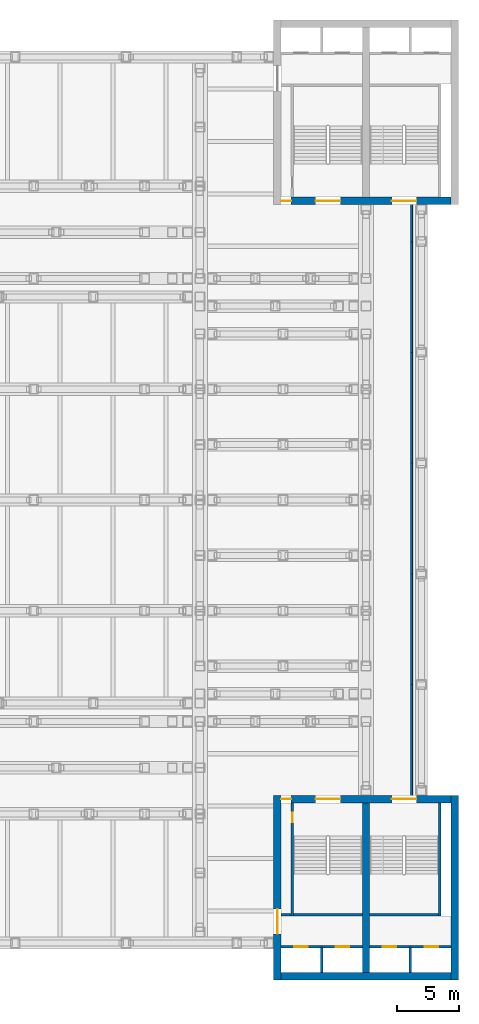
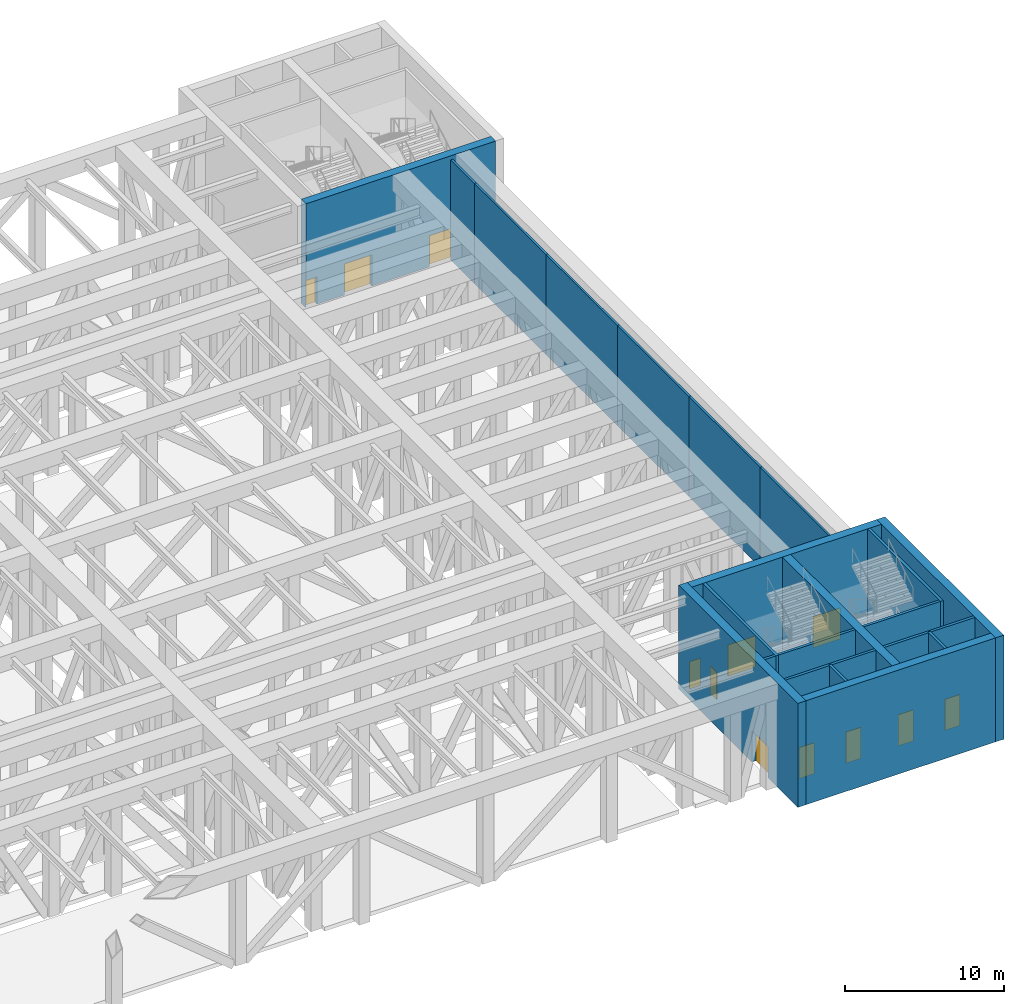
# One storey, part 9 of 20: 21 walls, 12 doors, 12 openings.
"""IFC4 building model written with IfcOpenShell, lengths in metres."""

from ifc_helpers import new_model, si_unit, direction, frame, frame_2d, origin, place, context, subcontext, project, spatial, rectangle, extrude, material, layer, layer_set, type_object, element, fill, save


model = new_model("IFC4")

# Units and contexts
model_context = context("Model", 3, precision=1e-05, world=origin(), true_north=direction((0.0, 1.0)))
body_context = subcontext(model_context, "Body", "Model", "MODEL_VIEW")
ifc_project = project(units=[si_unit("LENGTHUNIT", "METRE"), si_unit("AREAUNIT", "SQUARE_METRE"), si_unit("VOLUMEUNIT", "CUBIC_METRE"), si_unit("PLANEANGLEUNIT", "RADIAN"), si_unit("MASSUNIT", "GRAM", prefix="KILO")], contexts=[model_context])

# Site, building, storey
site_placement = place(None, origin())
site = spatial("IfcSite", under=ifc_project, at=site_placement, CompositionType="ELEMENT")
building_placement = place(site_placement, origin())
building = spatial("IfcBuilding", under=site, at=building_placement, Name="Corbelhall Arena Tower", CompositionType="ELEMENT")
storey_placement = place(building_placement, frame((0.0, 0.0, 44.0)))
storey = spatial("IfcBuildingStorey", under=building, at=storey_placement, Name="L06", CompositionType="ELEMENT", Elevation=44.0)

# Walls
ifc_material_1 = material(Name="Aluminium louvre panels on a steel frame", Category="steel")
ifc_layer_1 = layer(ifc_material_1, 0.14990234375)
ifc_layer_set_1 = layer_set([ifc_layer_1], Name="AR-PLANT-LOUVRE")
wall_type_1 = type_object("IfcWallType", Name="AR-PLANT-LOUVRE", PredefinedType="SOLIDWALL", material=ifc_layer_set_1)
for number, where, z_axis, x_axis, name in (
    (1, (44.199951171875, -24.0, 0.0), (0.0, 0.0, 1.0), (0.0, 1.0, 0.0), "Plant louvre wall E1"),
    (2, (44.199951171875, -15.0, 0.0), (0.0, 0.0, 1.0), (0.0, 1.0, 0.0), "Plant louvre wall E2"),
    (3, (44.199951171875, -6.0, 0.0), (0.0, 0.0, 1.0), (0.0, 1.0, 0.0), "Plant louvre wall E3"),
    (4, (44.199951171875, 3.0, 0.0), (0.0, 0.0, 1.0), (0.0, 1.0, 0.0), "Plant louvre wall E4"),
    (5, (44.199951171875, 12.0, 0.0), (0.0, 0.0, 1.0), (0.0, 1.0, 0.0), "Plant louvre wall E5"),
):
    element("IfcWall", number, at=place(storey_placement, frame(where, z_axis=z_axis, x_axis=x_axis)), inside=storey, type_object=wall_type_1, Name=name, PredefinedType="SOLIDWALL", context=body_context, shape_type="SweptSolid", body=[
        extrude(rectangle(XDim=9.0, YDim=0.14990234375, at=frame_2d((4.5, 0.0))), origin(), (0.0, 0.0, 1.0), 7.699951171875),
    ])
wall_1_placement = place(storey_placement, frame((44.199951171875, 21.0, 0.0), z_axis=(0.0, 0.0, 1.0), x_axis=(0.0, 1.0, 0.0)))
element("IfcWall", 6, at=wall_1_placement, inside=storey, type_object=wall_type_1, Name="Plant louvre wall E6", PredefinedType="SOLIDWALL", context=body_context, shape_type="SweptSolid", body=[
    extrude(rectangle(XDim=3.0, YDim=0.14990234375, at=frame_2d((1.5, 0.0))), origin(), (0.0, 0.0, 1.0), 7.699951171875),
])
ifc_material_2 = material(Name="Gypsum board on steel studs", Category="steel")
ifc_layer_2 = layer(ifc_material_2, 0.199951171875)
ifc_layer_set_2 = layer_set([ifc_layer_2], Name="AR-ROOM-WALL")
wall_type_2 = type_object("IfcWallType", Name="AR-ROOM-WALL", PredefinedType="PARTITIONING", material=ifc_layer_set_2)
wall_2_placement = place(storey_placement, frame((33.60009765625, -33.699951171875, 0.0), z_axis=(0.0, 0.0, 1.0), x_axis=(1.0, 0.0, 0.0)))
element("IfcWall", 7, at=wall_2_placement, inside=storey, type_object=wall_type_2, Name="Mechanical plant room 03 wall", PredefinedType="PARTITIONING", context=body_context, shape_type="SweptSolid", body=[
    extrude(rectangle(XDim=0.809814453125, YDim=0.199951171875, at=frame_2d((0.40478515625, 0.0))), origin(), (0.0, 0.0, 1.0), 8.0),
])

# Wall, openings, doors
ifc_material_3 = material(Name="Reinforced concrete C40/50", Category="concrete")
ifc_layer_3 = layer(ifc_material_3, 0.199951171875)
ifc_layer_set_3 = layer_set([ifc_layer_3], Name="AR-SHAFT-WALL")
wall_type_3 = type_object("IfcWallType", Name="AR-SHAFT-WALL", PredefinedType="SHEAR", material=ifc_layer_set_3)
wall_3_placement = place(storey_placement, frame((33.60009765625, -36.300048828125, 0.0), z_axis=(0.0, 0.0, 1.0), x_axis=(1.0, 0.0, 0.0)))
wall_3 = element("IfcWall", 8, at=wall_3_placement, inside=storey, type_object=wall_type_3, Name="Lift lobby wall SE", PredefinedType="SHEAR", context=body_context, shape_type="SweptSolid", body=[
    extrude(rectangle(XDim=6.599853515625, YDim=0.199951171875, at=frame_2d((3.2998046875, 0.0))), origin(), (0.0, 0.0, 1.0), 8.0),
])
opening_1_placement = place(wall_3_placement, frame((1.050048828125, 0.0, 0.0)))
opening_1 = element("IfcOpeningElement", 9, at=opening_1_placement, cuts=wall_3, Name="Opening LD0235", PredefinedType="OPENING", context=body_context, shape_type="SweptSolid", body=[
    extrude(rectangle(XDim=1.10009765625, YDim=2.39990234375, at=frame_2d((0.550048828125, 1.199951171875))), frame((0.0, 0.10009765625, 0.0), z_axis=(0.0, -1.0, 0.0), x_axis=(1.0, 0.0, 0.0)), (0.0, 0.0, 1.0), 0.199951171875),
])
opening_2_placement = place(wall_3_placement, frame((4.449951171875, 0.0, 0.0)))
opening_2 = element("IfcOpeningElement", 10, at=opening_2_placement, cuts=wall_3, Name="Opening LD0236", PredefinedType="OPENING", context=body_context, shape_type="SweptSolid", body=[
    extrude(rectangle(XDim=1.10009765625, YDim=2.39990234375, at=frame_2d((0.550048828125, 1.199951171875))), frame((0.0, 0.10009765625, 0.0), z_axis=(0.0, -1.0, 0.0), x_axis=(1.0, 0.0, 0.0)), (0.0, 0.0, 1.0), 0.199951171875),
])
ifc_material_4 = material(Name="Stainless steel A4", Category="steel")
door_type_1 = type_object("IfcDoorType", Name="AR-LANDING-DOOR", OperationType="DOUBLE_DOOR_SLIDING", PredefinedType="DOOR", material=ifc_material_4)
door_1_placement = place(opening_1_placement, frame((1.10009765625, 0.0, 0.0), z_axis=(0.0, 0.0, 1.0), x_axis=(-1.0, 0.0, 0.0)))
door_1 = element("IfcDoor", 11, at=door_1_placement, inside=storey, type_object=door_type_1, Name="Landing door SE LF1 L06", OperationType="DOUBLE_DOOR_SLIDING", OverallHeight=2.39990234375, OverallWidth=1.10009765625, PredefinedType="DOOR", context=body_context, shape_type="SweptSolid", body=[
    extrude(rectangle(XDim=1.10009765625, YDim=2.39990234375, at=frame_2d((0.550048828125, 1.199951171875))), frame((0.0, 0.02490234375, 0.0), z_axis=(0.0, -1.0, 0.0), x_axis=(1.0, 0.0, 0.0)), (0.0, 0.0, 1.0), 0.050048828125),
])
fill(opening_1, door_1)
door_2_placement = place(opening_2_placement, frame((1.10009765625, 0.0, 0.0), z_axis=(0.0, 0.0, 1.0), x_axis=(-1.0, 0.0, 0.0)))
door_2 = element("IfcDoor", 12, at=door_2_placement, inside=storey, type_object=door_type_1, Name="Landing door SE LF2 L06", OperationType="DOUBLE_DOOR_SLIDING", OverallHeight=2.39990234375, OverallWidth=1.10009765625, PredefinedType="DOOR", context=body_context, shape_type="SweptSolid", body=[
    extrude(rectangle(XDim=1.10009765625, YDim=2.39990234375, at=frame_2d((0.550048828125, 1.199951171875))), frame((0.0, 0.02490234375, 0.0), z_axis=(0.0, -1.0, 0.0), x_axis=(1.0, 0.0, 0.0)), (0.0, 0.0, 1.0), 0.050048828125),
])
fill(opening_2, door_2)

wall_4_placement = place(storey_placement, frame((40.800048828125, -36.300048828125, 0.0), z_axis=(0.0, 0.0, 1.0), x_axis=(1.0, 0.0, 0.0)))
wall_4 = element("IfcWall", 13, at=wall_4_placement, inside=storey, type_object=wall_type_3, Name="Lift lobby wall SE", PredefinedType="SHEAR", context=body_context, shape_type="SweptSolid", body=[
    extrude(rectangle(XDim=6.599853515625, YDim=0.199951171875, at=frame_2d((3.2998046875, 0.0))), origin(), (0.0, 0.0, 1.0), 8.0),
])
opening_3_placement = place(wall_4_placement, frame((1.050048828125, 0.0, 0.0)))
opening_3 = element("IfcOpeningElement", 14, at=opening_3_placement, cuts=wall_4, Name="Opening LD0237", PredefinedType="OPENING", context=body_context, shape_type="SweptSolid", body=[
    extrude(rectangle(XDim=1.10009765625, YDim=2.39990234375, at=frame_2d((0.550048828125, 1.199951171875))), frame((0.0, 0.10009765625, 0.0), z_axis=(0.0, -1.0, 0.0), x_axis=(1.0, 0.0, 0.0)), (0.0, 0.0, 1.0), 0.199951171875),
])
opening_4_placement = place(wall_4_placement, frame((4.449951171875, 0.0, 0.0)))
opening_4 = element("IfcOpeningElement", 15, at=opening_4_placement, cuts=wall_4, Name="Opening LD0238", PredefinedType="OPENING", context=body_context, shape_type="SweptSolid", body=[
    extrude(rectangle(XDim=1.10009765625, YDim=2.39990234375, at=frame_2d((0.550048828125, 1.199951171875))), frame((0.0, 0.10009765625, 0.0), z_axis=(0.0, -1.0, 0.0), x_axis=(1.0, 0.0, 0.0)), (0.0, 0.0, 1.0), 0.199951171875),
])
door_3_placement = place(opening_3_placement, frame((1.10009765625, 0.0, 0.0), z_axis=(0.0, 0.0, 1.0), x_axis=(-1.0, 0.0, 0.0)))
door_3 = element("IfcDoor", 16, at=door_3_placement, inside=storey, type_object=door_type_1, Name="Landing door SE LF3 L06", OperationType="DOUBLE_DOOR_SLIDING", OverallHeight=2.39990234375, OverallWidth=1.10009765625, PredefinedType="DOOR", context=body_context, shape_type="SweptSolid", body=[
    extrude(rectangle(XDim=1.10009765625, YDim=2.39990234375, at=frame_2d((0.550048828125, 1.199951171875))), frame((0.0, 0.02490234375, 0.0), z_axis=(0.0, -1.0, 0.0), x_axis=(1.0, 0.0, 0.0)), (0.0, 0.0, 1.0), 0.050048828125),
])
fill(opening_3, door_3)
door_4_placement = place(opening_4_placement, frame((1.10009765625, 0.0, 0.0), z_axis=(0.0, 0.0, 1.0), x_axis=(-1.0, 0.0, 0.0)))
door_4 = element("IfcDoor", 17, at=door_4_placement, inside=storey, type_object=door_type_1, Name="Landing door SE LF4 L06", OperationType="DOUBLE_DOOR_SLIDING", OverallHeight=2.39990234375, OverallWidth=1.10009765625, PredefinedType="DOOR", context=body_context, shape_type="SweptSolid", body=[
    extrude(rectangle(XDim=1.10009765625, YDim=2.39990234375, at=frame_2d((0.550048828125, 1.199951171875))), frame((0.0, 0.02490234375, 0.0), z_axis=(0.0, -1.0, 0.0), x_axis=(1.0, 0.0, 0.0)), (0.0, 0.0, 1.0), 0.050048828125),
])
fill(opening_4, door_4)

# Walls
for number, where, z_axis, x_axis, name in (
    (18, (36.89990234375, -38.39990234375, 0.0), (0.0, 0.0, 1.0), (0.0, 1.0, 0.0), "Shaft wall SE"),
    (19, (44.10009765625, -38.39990234375, 0.0), (0.0, 0.0, 1.0), (0.0, 1.0, 0.0), "Shaft wall SE"),
):
    element("IfcWall", number, at=place(storey_placement, frame(where, z_axis=z_axis, x_axis=x_axis)), inside=storey, type_object=wall_type_3, Name=name, PredefinedType="SHEAR", context=body_context, shape_type="SweptSolid", body=[
        extrude(rectangle(XDim=2.099853515625, YDim=0.199951171875, at=frame_2d((1.0498046875, 0.0))), origin(), (0.0, 0.0, 1.0), 8.0),
    ])

# Wall, opening, door
ifc_layer_4 = layer(ifc_material_3, 0.199951171875)
ifc_layer_set_4 = layer_set([ifc_layer_4], Name="AR-STAIR-WALL")
wall_type_4 = type_object("IfcWallType", Name="AR-STAIR-WALL", PredefinedType="SOLIDWALL", material=ifc_layer_set_4)
wall_5_placement = place(storey_placement, frame((34.510009765625, -33.800048828125, 0.0), z_axis=(0.0, 0.0, 1.0), x_axis=(0.0, 1.0, 0.0)))
wall_5 = element("IfcWall", 20, at=wall_5_placement, inside=storey, type_object=wall_type_4, Name="Stair AS5 wall", PredefinedType="SOLIDWALL", context=body_context, shape_type="SweptSolid", body=[
    extrude(rectangle(XDim=9.199951171875, YDim=0.199951171875, at=frame_2d((4.60009765625, 0.0))), origin(), (0.0, 0.0, 1.0), 8.0),
])
opening_5_placement = place(wall_5_placement, frame((7.60009765625, 0.0, 0.0)))
opening_5 = element("IfcOpeningElement", 21, at=opening_5_placement, cuts=wall_5, Name="Opening DA0464", PredefinedType="OPENING", context=body_context, shape_type="SweptSolid", body=[
    extrude(rectangle(XDim=0.800048828125, YDim=2.10009765625, at=frame_2d((0.39990234375, 1.050048828125))), frame((0.0, 0.10009765625, 0.0), z_axis=(0.0, -1.0, 0.0), x_axis=(1.0, 0.0, 0.0)), (0.0, 0.0, 1.0), 0.199951171875),
])
ifc_material_5 = material(Name="Steel", Category="steel")
door_type_2 = type_object("IfcDoorType", Name="AR-PLANT-DOOR", OperationType="SINGLE_SWING_LEFT", PredefinedType="DOOR", material=ifc_material_5)
door_5_placement = place(opening_5_placement, origin())
door_5 = element("IfcDoor", 22, at=door_5_placement, inside=storey, type_object=door_type_2, Name="Mechanical plant room 03 stair door", OperationType="SINGLE_SWING_LEFT", OverallHeight=2.10009765625, OverallWidth=0.800048828125, PredefinedType="DOOR", context=body_context, shape_type="SweptSolid", body=[
    extrude(rectangle(XDim=0.800048828125, YDim=2.10009765625, at=frame_2d((0.39990234375, 1.050048828125))), frame((0.0, 0.02490234375, 0.0), z_axis=(0.0, -1.0, 0.0), x_axis=(1.0, 0.0, 0.0)), (0.0, 0.0, 1.0), 0.050048828125),
])
fill(opening_5, door_5)

# Walls
wall_6_placement = place(storey_placement, frame((34.610107421875, -33.699951171875, 0.0), z_axis=(0.0, 0.0, 1.0), x_axis=(1.0, 0.0, 0.0)))
element("IfcWall", 23, at=wall_6_placement, inside=storey, type_object=wall_type_4, Name="Stair AS5 wall", PredefinedType="SOLIDWALL", context=body_context, shape_type="SweptSolid", body=[
    extrude(rectangle(XDim=5.58984375, YDim=0.199951171875, at=frame_2d((2.794921875, 0.0))), origin(), (0.0, 0.0, 1.0), 8.0),
])
wall_7_placement = place(storey_placement, frame((46.489990234375, -33.800048828125, 0.0), z_axis=(0.0, 0.0, 1.0), x_axis=(0.0, 1.0, 0.0)))
element("IfcWall", 24, at=wall_7_placement, inside=storey, type_object=wall_type_4, Name="Stair AS6 wall", PredefinedType="SOLIDWALL", context=body_context, shape_type="SweptSolid", body=[
    extrude(rectangle(XDim=9.199951171875, YDim=0.199951171875, at=frame_2d((4.60009765625, 0.0))), origin(), (0.0, 0.0, 1.0), 8.0),
])
wall_8_placement = place(storey_placement, frame((40.800048828125, -33.699951171875, 0.0), z_axis=(0.0, 0.0, 1.0), x_axis=(1.0, 0.0, 0.0)))
element("IfcWall", 25, at=wall_8_placement, inside=storey, type_object=wall_type_4, Name="Stair AS6 wall", PredefinedType="SOLIDWALL", context=body_context, shape_type="SweptSolid", body=[
    extrude(rectangle(XDim=5.58984375, YDim=0.199951171875, at=frame_2d((2.794921875, 0.0))), origin(), (0.0, 0.0, 1.0), 8.0),
])

# Wall, openings, doors
ifc_material_6 = material(Name="Concrete C80/95", Category="concrete")
ifc_layer_5 = layer(ifc_material_6, 0.60009765625)
ifc_layer_set_5 = layer_set([ifc_layer_5], Name="PO-CORE-WALL")
wall_type_5 = type_object("IfcWallType", Name="PO-CORE-WALL", PredefinedType="SHEAR", material=ifc_layer_set_5)
wall_9_placement = place(storey_placement, frame((33.60009765625, 24.300048828125, 0.0), z_axis=(0.0, 0.0, 1.0), x_axis=(1.0, 0.0, 0.0)))
wall_9 = element("IfcWall", 26, at=wall_9_placement, inside=storey, type_object=wall_type_5, Name="CORE NE WALL S L06", PredefinedType="SHEAR", context=body_context, shape_type="SweptSolid", body=[
    extrude(rectangle(XDim=13.7998046875, YDim=0.60009765625, at=frame_2d((6.89990234375, 0.0))), origin(), (0.0, 0.0, 1.0), 8.0),
])
opening_6_placement = place(wall_9_placement, frame((2.804931640625, 0.0, 0.0)))
opening_6 = element("IfcOpeningElement", 27, at=opening_6_placement, cuts=wall_9, Name="Opening DA0059", PredefinedType="OPENING", context=body_context, shape_type="SweptSolid", body=[
    extrude(rectangle(XDim=2.0, YDim=2.39990234375, at=frame_2d((1.0, 1.199951171875))), frame((0.0, 0.300048828125, 0.0), z_axis=(0.0, -1.0, 0.0), x_axis=(1.0, 0.0, 0.0)), (0.0, 0.0, 1.0), 0.60009765625),
])
opening_7_placement = place(wall_9_placement, frame((8.9951171875, 0.0, 0.0)))
opening_7 = element("IfcOpeningElement", 28, at=opening_7_placement, cuts=wall_9, Name="Opening DA0067", PredefinedType="OPENING", context=body_context, shape_type="SweptSolid", body=[
    extrude(rectangle(XDim=2.0, YDim=2.39990234375, at=frame_2d((1.0, 1.199951171875))), frame((0.0, 0.300048828125, 0.0), z_axis=(0.0, -1.0, 0.0), x_axis=(1.0, 0.0, 0.0)), (0.0, 0.0, 1.0), 0.60009765625),
])
opening_8_placement = place(wall_9_placement, frame((0.0048828125, 0.0, 0.0)))
opening_8 = element("IfcOpeningElement", 29, at=opening_8_placement, cuts=wall_9, Name="Opening DA0459", PredefinedType="OPENING", context=body_context, shape_type="SweptSolid", body=[
    extrude(rectangle(XDim=0.800048828125, YDim=2.10009765625, at=frame_2d((0.39990234375, 1.050048828125))), frame((0.0, 0.300048828125, 0.0), z_axis=(0.0, -1.0, 0.0), x_axis=(1.0, 0.0, 0.0)), (0.0, 0.0, 1.0), 0.60009765625),
])
door_6_placement = place(opening_8_placement, origin())
door_6 = element("IfcDoor", 30, at=door_6_placement, inside=storey, type_object=door_type_2, Name="Mechanical plant room 01 door", OperationType="SINGLE_SWING_LEFT", OverallHeight=2.10009765625, OverallWidth=0.800048828125, PredefinedType="DOOR", context=body_context, shape_type="SweptSolid", body=[
    extrude(rectangle(XDim=0.800048828125, YDim=2.10009765625, at=frame_2d((0.39990234375, 1.050048828125))), frame((0.0, 0.02490234375, 0.0), z_axis=(0.0, -1.0, 0.0), x_axis=(1.0, 0.0, 0.0)), (0.0, 0.0, 1.0), 0.050048828125),
])
fill(opening_8, door_6)
ifc_material_7 = material(Name="Steel and glass", Category="steel")
door_type_3 = type_object("IfcDoorType", Name="AR-STAIR-DOOR", OperationType="DOUBLE_DOOR_SINGLE_SWING", PredefinedType="DOOR", material=ifc_material_7)
door_7_placement = place(opening_6_placement, origin())
door_7 = element("IfcDoor", 31, at=door_7_placement, inside=storey, type_object=door_type_3, Name="Stair AS1 door", OperationType="DOUBLE_DOOR_SINGLE_SWING", OverallHeight=2.39990234375, OverallWidth=2.0, PredefinedType="DOOR", context=body_context, shape_type="SweptSolid", body=[
    extrude(rectangle(XDim=2.0, YDim=2.39990234375, at=frame_2d((1.0, 1.199951171875))), frame((0.0, 0.02490234375, 0.0), z_axis=(0.0, -1.0, 0.0), x_axis=(1.0, 0.0, 0.0)), (0.0, 0.0, 1.0), 0.050048828125),
])
fill(opening_6, door_7)
door_8_placement = place(opening_7_placement, origin())
door_8 = element("IfcDoor", 32, at=door_8_placement, inside=storey, type_object=door_type_3, Name="Stair AS2 door", OperationType="DOUBLE_DOOR_SINGLE_SWING", OverallHeight=2.39990234375, OverallWidth=2.0, PredefinedType="DOOR", context=body_context, shape_type="SweptSolid", body=[
    extrude(rectangle(XDim=2.0, YDim=2.39990234375, at=frame_2d((1.0, 1.199951171875))), frame((0.0, 0.02490234375, 0.0), z_axis=(0.0, -1.0, 0.0), x_axis=(1.0, 0.0, 0.0)), (0.0, 0.0, 1.0), 0.050048828125),
])
fill(opening_7, door_8)

wall_10_placement = place(storey_placement, frame((33.60009765625, -24.300048828125, 0.0), z_axis=(0.0, 0.0, 1.0), x_axis=(1.0, 0.0, 0.0)))
wall_10 = element("IfcWall", 33, at=wall_10_placement, inside=storey, type_object=wall_type_5, Name="CORE SE WALL N L06", PredefinedType="SHEAR", context=body_context, shape_type="SweptSolid", body=[
    extrude(rectangle(XDim=13.7998046875, YDim=0.60009765625, at=frame_2d((6.89990234375, 0.0))), origin(), (0.0, 0.0, 1.0), 8.0),
])
opening_9_placement = place(wall_10_placement, frame((2.804931640625, 0.0, 0.0)))
opening_9 = element("IfcOpeningElement", 34, at=opening_9_placement, cuts=wall_10, Name="Opening DA0091", PredefinedType="OPENING", context=body_context, shape_type="SweptSolid", body=[
    extrude(rectangle(XDim=2.0, YDim=2.39990234375, at=frame_2d((1.0, 1.199951171875))), frame((0.0, 0.300048828125, 0.0), z_axis=(0.0, -1.0, 0.0), x_axis=(1.0, 0.0, 0.0)), (0.0, 0.0, 1.0), 0.60009765625),
])
opening_10_placement = place(wall_10_placement, frame((8.9951171875, 0.0, 0.0)))
opening_10 = element("IfcOpeningElement", 35, at=opening_10_placement, cuts=wall_10, Name="Opening DA0099", PredefinedType="OPENING", context=body_context, shape_type="SweptSolid", body=[
    extrude(rectangle(XDim=2.0, YDim=2.39990234375, at=frame_2d((1.0, 1.199951171875))), frame((0.0, 0.300048828125, 0.0), z_axis=(0.0, -1.0, 0.0), x_axis=(1.0, 0.0, 0.0)), (0.0, 0.0, 1.0), 0.60009765625),
])
opening_11_placement = place(wall_10_placement, frame((0.0048828125, 0.0, 0.0)))
opening_11 = element("IfcOpeningElement", 36, at=opening_11_placement, cuts=wall_10, Name="Opening DA0463", PredefinedType="OPENING", context=body_context, shape_type="SweptSolid", body=[
    extrude(rectangle(XDim=0.800048828125, YDim=2.10009765625, at=frame_2d((0.39990234375, 1.050048828125))), frame((0.0, 0.300048828125, 0.0), z_axis=(0.0, -1.0, 0.0), x_axis=(1.0, 0.0, 0.0)), (0.0, 0.0, 1.0), 0.60009765625),
])
door_9_placement = place(opening_11_placement, origin())
door_9 = element("IfcDoor", 37, at=door_9_placement, inside=storey, type_object=door_type_2, Name="Mechanical plant room 03 door", OperationType="SINGLE_SWING_LEFT", OverallHeight=2.10009765625, OverallWidth=0.800048828125, PredefinedType="DOOR", context=body_context, shape_type="SweptSolid", body=[
    extrude(rectangle(XDim=0.800048828125, YDim=2.10009765625, at=frame_2d((0.39990234375, 1.050048828125))), frame((0.0, 0.02490234375, 0.0), z_axis=(0.0, -1.0, 0.0), x_axis=(1.0, 0.0, 0.0)), (0.0, 0.0, 1.0), 0.050048828125),
])
fill(opening_11, door_9)
door_10_placement = place(opening_9_placement, frame((2.0, 0.0, 0.0), z_axis=(0.0, 0.0, 1.0), x_axis=(-1.0, 0.0, 0.0)))
door_10 = element("IfcDoor", 38, at=door_10_placement, inside=storey, type_object=door_type_3, Name="Stair AS5 door", OperationType="DOUBLE_DOOR_SINGLE_SWING", OverallHeight=2.39990234375, OverallWidth=2.0, PredefinedType="DOOR", context=body_context, shape_type="SweptSolid", body=[
    extrude(rectangle(XDim=2.0, YDim=2.39990234375, at=frame_2d((1.0, 1.199951171875))), frame((0.0, 0.02490234375, 0.0), z_axis=(0.0, -1.0, 0.0), x_axis=(1.0, 0.0, 0.0)), (0.0, 0.0, 1.0), 0.050048828125),
])
fill(opening_9, door_10)
door_11_placement = place(opening_10_placement, frame((2.0, 0.0, 0.0), z_axis=(0.0, 0.0, 1.0), x_axis=(-1.0, 0.0, 0.0)))
door_11 = element("IfcDoor", 39, at=door_11_placement, inside=storey, type_object=door_type_3, Name="Stair AS6 door", OperationType="DOUBLE_DOOR_SINGLE_SWING", OverallHeight=2.39990234375, OverallWidth=2.0, PredefinedType="DOOR", context=body_context, shape_type="SweptSolid", body=[
    extrude(rectangle(XDim=2.0, YDim=2.39990234375, at=frame_2d((1.0, 1.199951171875))), frame((0.0, 0.02490234375, 0.0), z_axis=(0.0, -1.0, 0.0), x_axis=(1.0, 0.0, 0.0)), (0.0, 0.0, 1.0), 0.050048828125),
])
fill(opening_10, door_11)

# Wall
wall_11_placement = place(storey_placement, frame((33.60009765625, -38.699951171875, 0.0), z_axis=(0.0, 0.0, 1.0), x_axis=(1.0, 0.0, 0.0)))
element("IfcWall", 40, at=wall_11_placement, inside=storey, type_object=wall_type_5, Name="CORE SE WALL S L06", PredefinedType="SHEAR", context=body_context, shape_type="SweptSolid", body=[
    extrude(rectangle(XDim=13.7998046875, YDim=0.60009765625, at=frame_2d((6.89990234375, 0.0))), origin(), (0.0, 0.0, 1.0), 8.0),
])

# Wall, opening, door
wall_12_placement = place(storey_placement, frame((33.300048828125, -39.0, 0.0), z_axis=(0.0, 0.0, 1.0), x_axis=(0.0, 1.0, 0.0)))
wall_12 = element("IfcWall", 41, at=wall_12_placement, inside=storey, type_object=wall_type_5, Name="CORE SE WALL W L06", PredefinedType="SHEAR", context=body_context, shape_type="SweptSolid", body=[
    extrude(rectangle(XDim=15.0, YDim=0.60009765625, at=frame_2d((7.5, 0.0))), origin(), (0.0, 0.0, 1.0), 8.0),
])
opening_12_placement = place(wall_12_placement, frame((3.75, 0.0, 0.0)))
opening_12 = element("IfcOpeningElement", 42, at=opening_12_placement, cuts=wall_12, Name="Opening DA0239", PredefinedType="OPENING", context=body_context, shape_type="SweptSolid", body=[
    extrude(rectangle(XDim=2.0, YDim=2.39990234375, at=frame_2d((1.0, 1.199951171875))), frame((0.0, 0.300048828125, 0.0), z_axis=(0.0, -1.0, 0.0), x_axis=(1.0, 0.0, 0.0)), (0.0, 0.0, 1.0), 0.60009765625),
])
door_type_4 = type_object("IfcDoorType", Name="AR-CORE-DOOR", OperationType="DOUBLE_DOOR_SINGLE_SWING", PredefinedType="DOOR", material=ifc_material_7)
door_12_placement = place(opening_12_placement, origin())
door_12 = element("IfcDoor", 43, at=door_12_placement, inside=storey, type_object=door_type_4, Name="Core lobby door SE L06", OperationType="DOUBLE_DOOR_SINGLE_SWING", OverallHeight=2.39990234375, OverallWidth=2.0, PredefinedType="DOOR", context=body_context, shape_type="SweptSolid", body=[
    extrude(rectangle(XDim=2.0, YDim=2.39990234375, at=frame_2d((1.0, 1.199951171875))), frame((0.0, 0.02490234375, 0.0), z_axis=(0.0, -1.0, 0.0), x_axis=(1.0, 0.0, 0.0)), (0.0, 0.0, 1.0), 0.050048828125),
])
fill(opening_12, door_12)

# Walls
wall_13_placement = place(storey_placement, frame((47.699951171875, -39.0, 0.0), z_axis=(0.0, 0.0, 1.0), x_axis=(0.0, 1.0, 0.0)))
element("IfcWall", 44, at=wall_13_placement, inside=storey, type_object=wall_type_5, Name="CORE SE WALL E L06", PredefinedType="SHEAR", context=body_context, shape_type="SweptSolid", body=[
    extrude(rectangle(XDim=15.0, YDim=0.60009765625, at=frame_2d((7.5, 0.0))), origin(), (0.0, 0.0, 1.0), 8.0),
])
wall_14_placement = place(storey_placement, frame((40.5, -38.39990234375, 0.0), z_axis=(0.0, 0.0, 1.0), x_axis=(0.0, 1.0, 0.0)))
element("IfcWall", 45, at=wall_14_placement, inside=storey, type_object=wall_type_5, Name="CORE SE WALL D L06", PredefinedType="SHEAR", context=body_context, shape_type="SweptSolid", body=[
    extrude(rectangle(XDim=13.7998046875, YDim=0.60009765625, at=frame_2d((6.89990234375, 0.0))), origin(), (0.0, 0.0, 1.0), 8.0),
])

save(model, "model.ifc")
